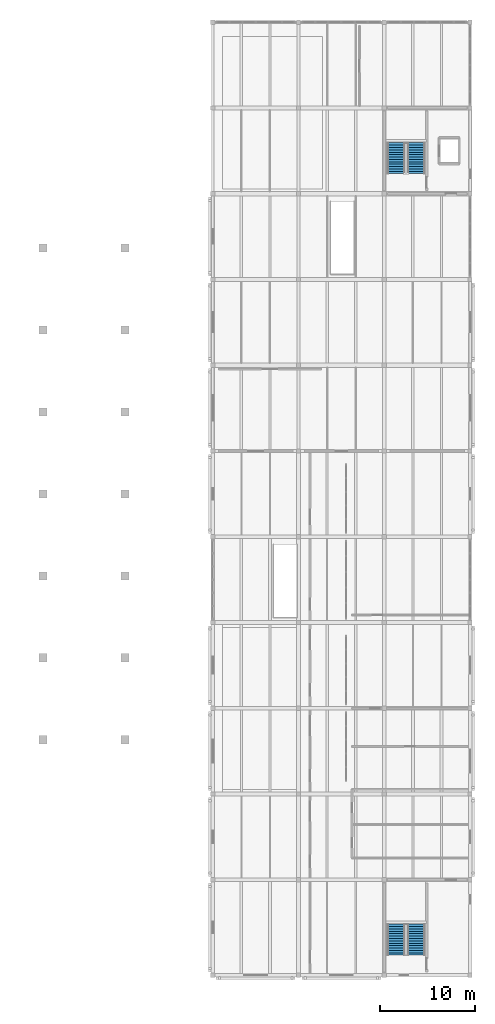
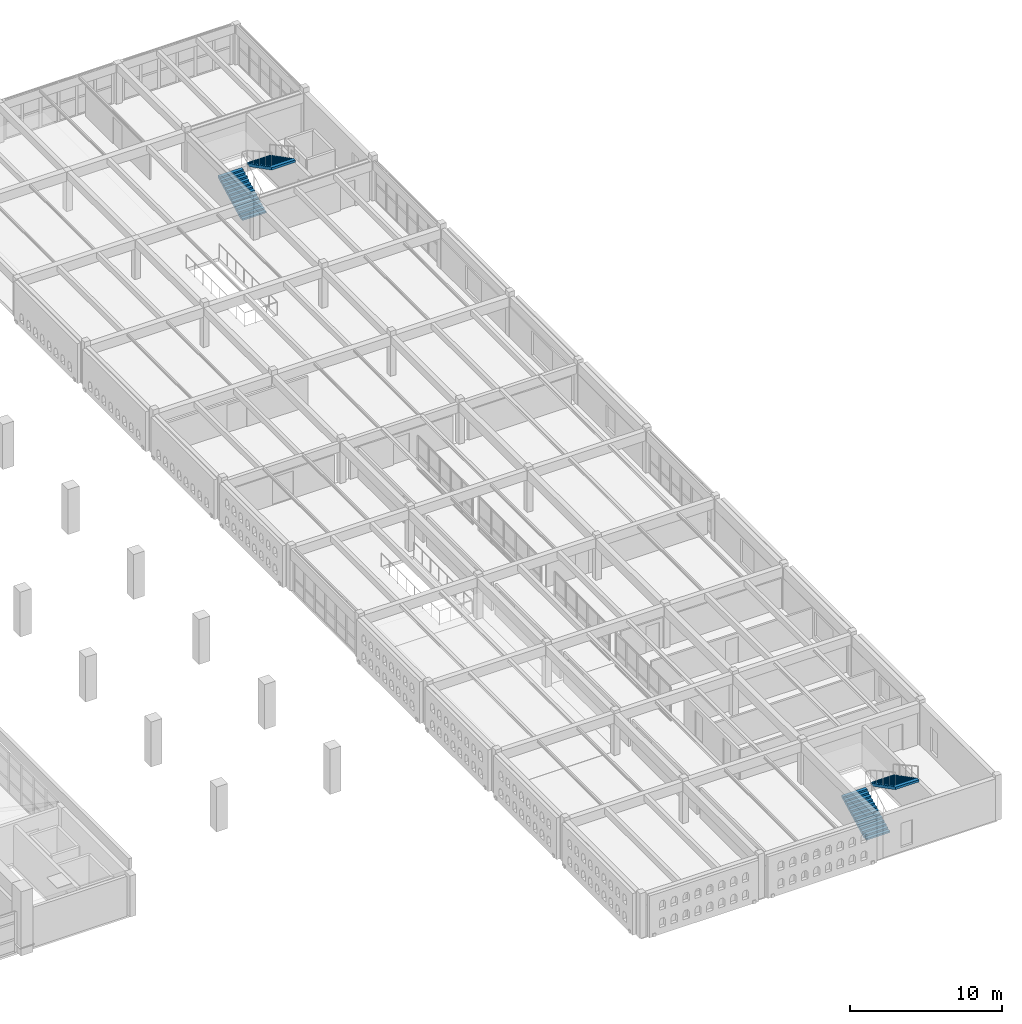
# One storey, part 71 of 80: 4 stair flights, 2 elements without a shape of their own.
"""IFC4 building model written with IfcOpenShell, lengths in metres."""

import ifcopenshell
import ifcopenshell.guid

model = None  # the IFC model being written
_history = None  # IfcOwnerHistory: only IFC2X3 demands one
_inside = {}  # id of a spatial element -> (the spatial element, [elements in it])
_under = {}  # id of a project, library or spatial element -> (it, [spatial elements below it])
_declared = {}  # id of a project -> (the project, [libraries it declares])
_typed = {}  # id of a type object -> (the type object, [elements of that type])
_made_of = {}  # id of a material, layer set ... -> (it, [elements and type objects made of it])


def new_model(schema):
    """Start an empty IFC model of exactly this schema.

    Asked for "IFC4X3", IfcOpenShell would pick the latest addendum, in which some entities
    have other attributes; the version numbers below select the first issue.
    IFC2X3 requires an IfcOwnerHistory on every rooted entity: one is made here for all.
    """
    global model, _history
    if schema == "IFC4X3":
        model = ifcopenshell.file(schema_version=(4, 3, 0, 0))
    else:
        model = ifcopenshell.file(schema=schema)
    _inside.clear()
    _under.clear()
    _declared.clear()
    _typed.clear()
    _made_of.clear()
    _history = None
    if model.schema == "IFC2X3":
        org = make("IfcOrganization", Name="unknown")
        user = make(
            "IfcPersonAndOrganization",
            ThePerson=make("IfcPerson", FamilyName="unknown"),
            TheOrganization=org,
        )
        app = make(
            "IfcApplication",
            ApplicationDeveloper=org,
            Version="unknown",
            ApplicationFullName="unknown",
            ApplicationIdentifier="unknown",
        )
        _history = make(
            "IfcOwnerHistory",
            OwningUser=user,
            OwningApplication=app,
            ChangeAction="ADDED",
            CreationDate=0,
        )
    return model


def make(cls, **values):
    """One entity of the class cls with the attributes given. An attribute that is None is left unset."""
    return model.create_entity(
        cls, **{name: value for name, value in values.items() if value is not None}
    )


def rooted(cls, **values):
    """An entity with a GlobalId (a new one), such as an element, a storey or a relation."""
    return make(cls, GlobalId=ifcopenshell.guid.new(), OwnerHistory=_history, **values)


def si_unit(unit_type, name, prefix=None):
    """IfcSIUnit, for example si_unit("LENGTHUNIT", "METRE", prefix="MILLI")."""
    return make("IfcSIUnit", UnitType=unit_type, Prefix=prefix, Name=name)


def assignment(units):
    """IfcUnitAssignment: the units of a project."""
    return None if units is None else make("IfcUnitAssignment", Units=units)


def point(xyz):
    """IfcCartesianPoint."""
    return None if xyz is None else make("IfcCartesianPoint", Coordinates=xyz)


def direction(xyz):
    """IfcDirection."""
    return None if xyz is None else make("IfcDirection", DirectionRatios=xyz)


def frame(location, z_axis=None, x_axis=None):
    """IfcAxis2Placement3D, a coordinate frame: its origin and axes. An axis left out is left unset."""
    return make(
        "IfcAxis2Placement3D",
        Location=point(location),
        Axis=direction(z_axis),
        RefDirection=direction(x_axis),
    )


def origin():
    """The frame at (0, 0, 0) with its axes left unset."""
    return frame((0.0, 0.0, 0.0))


def place(relative_to, where):
    """IfcLocalPlacement: puts the frame where relative to a parent placement (None: the world)."""
    return make(
        "IfcLocalPlacement", PlacementRelTo=relative_to, RelativePlacement=where
    )


def context(
    kind, dimensions, precision=None, world=None, true_north=None, identifier=None
):
    """IfcGeometricRepresentationContext, for example the 3D "Model" context."""
    return make(
        "IfcGeometricRepresentationContext",
        ContextIdentifier=identifier,
        ContextType=kind,
        CoordinateSpaceDimension=dimensions,
        Precision=precision,
        WorldCoordinateSystem=world,
        TrueNorth=true_north,
    )


def subcontext(parent, identifier, kind, view, scale=None):
    """IfcGeometricRepresentationSubContext, for example "Body" below "Model"."""
    return make(
        "IfcGeometricRepresentationSubContext",
        ContextIdentifier=identifier,
        ContextType=kind,
        ParentContext=parent,
        TargetScale=scale,
        TargetView=view,
    )


def project(units=None, contexts=None):
    """IfcProject with its units and contexts."""
    return rooted(
        "IfcProject",
        Name="project",
        RepresentationContexts=contexts,
        UnitsInContext=assignment(units),
    )


def spatial(cls, under=None, at=None, **own):
    """A site, building, storey or space (cls), placed at a placement, below another one or the project."""
    s = rooted(cls, ObjectPlacement=at, **own)
    if under is not None:
        _under.setdefault(under.id(), (under, []))[1].append(s)
    return s


def polyline(points):
    """IfcPolyline through the points."""
    return make("IfcPolyline", Points=[point(p) for p in points])


def outline(outer, holes=None, kind="AREA"):
    """IfcArbitraryClosedProfileDef: a profile drawn as a closed curve; with holes, ...WithVoids."""
    if holes is None:
        return make("IfcArbitraryClosedProfileDef", ProfileType=kind, OuterCurve=outer)
    return make(
        "IfcArbitraryProfileDefWithVoids",
        ProfileType=kind,
        OuterCurve=outer,
        InnerCurves=holes,
    )


def extrude(swept, where, along, depth):
    """IfcExtrudedAreaSolid: the profile swept, set in the frame where, extruded along a direction by depth."""
    return make(
        "IfcExtrudedAreaSolid",
        SweptArea=swept,
        Position=where,
        ExtrudedDirection=direction(along),
        Depth=depth,
    )


def shape(context_of_items, identifier, shape_type, items):
    """IfcShapeRepresentation: the items that make up one representation, for example the "Body"."""
    return make(
        "IfcShapeRepresentation",
        ContextOfItems=context_of_items,
        RepresentationIdentifier=identifier,
        RepresentationType=shape_type,
        Items=items,
    )


def material(Name=None, Category=None):
    """IfcMaterial."""
    return make("IfcMaterial", Name=Name, Category=Category)


def made_of(thing, what):
    """Note that an element or type object is made of a material, layer set ...; save() writes the relation."""
    if what is not None:
        _made_of.setdefault(what.id(), (what, []))[1].append(thing)
    return thing


def type_object(cls, material=None, **own):
    """A type object (cls), such as IfcWallType, which elements share."""
    return made_of(rooted(cls, **own), material)


def element(
    cls,
    number,
    at=None,
    inside=None,
    cuts=None,
    type_object=None,
    material=None,
    context=None,
    identifier="Body",
    shape_type=None,
    held_by="IfcProductDefinitionShape",
    body=None,
    shapes=None,
    **own,
):
    """One element of the class cls, such as IfcWall. Its Tag is "e" and its number.

    at: its placement. inside: the storey or other place that contains it. cuts: it is an
    opening in that element (IfcRelVoidsElement). A single representation is given by context,
    identifier, shape_type and body (its items); several are given by shapes. held_by: the class
    of the entity that holds the representations. save() writes the other relations.
    """
    e = rooted(cls, Tag="e%d" % number, ObjectPlacement=at, **own)
    if body is not None:
        shapes = [shape(context, identifier, shape_type, body)]
    if shapes is not None:
        e.Representation = make(held_by, Representations=shapes)
    if inside is not None:
        _inside.setdefault(inside.id(), (inside, []))[1].append(e)
    if cuts is not None:
        rooted(
            "IfcRelVoidsElement", RelatingBuildingElement=cuts, RelatedOpeningElement=e
        )
    if type_object is not None:
        _typed.setdefault(type_object.id(), (type_object, []))[1].append(e)
    return made_of(e, material)


def aggregate(whole, parts):
    """IfcRelAggregates: a whole, such as a stair, and the parts it consists of."""
    return rooted("IfcRelAggregates", RelatingObject=whole, RelatedObjects=parts)


def save(model, path):
    """Write the relations noted so far, then the file.

    IfcRelAggregates (storeys below a building ...), IfcRelContainedInSpatialStructure (elements
    in a storey), IfcRelDefinesByType, IfcRelAssociatesMaterial and IfcRelDeclares: one each for
    every whole, place, type object, material and project.
    """
    for whole, parts in _under.values():
        aggregate(whole, parts)
    for where, things in _inside.values():
        rooted(
            "IfcRelContainedInSpatialStructure",
            RelatedElements=things,
            RelatingStructure=where,
        )
    for kind, things in _typed.values():
        rooted("IfcRelDefinesByType", RelatedObjects=things, RelatingType=kind)
    for what, things in _made_of.values():
        rooted("IfcRelAssociatesMaterial", RelatedObjects=things, RelatingMaterial=what)
    for by, libraries in _declared.values():
        rooted("IfcRelDeclares", RelatingContext=by, RelatedDefinitions=libraries)
    model.write(path)


model = new_model("IFC4")

# Units and contexts
model_context = context("Model", 3, precision=1e-05, world=origin(), true_north=direction((0.0, 1.0)))
body_context = subcontext(model_context, "Body", "Model", "MODEL_VIEW")
ifc_project = project(units=[si_unit("LENGTHUNIT", "METRE"), si_unit("AREAUNIT", "SQUARE_METRE"), si_unit("VOLUMEUNIT", "CUBIC_METRE"), si_unit("PLANEANGLEUNIT", "RADIAN"), si_unit("MASSUNIT", "GRAM", prefix="KILO")], contexts=[model_context])

# Site, building, storey
site_placement = place(None, origin())
site = spatial("IfcSite", under=ifc_project, at=site_placement, CompositionType="ELEMENT")
building_placement = place(site_placement, origin())
building = spatial("IfcBuilding", under=site, at=building_placement, Name="Ornek Quay Market", CompositionType="ELEMENT")
storey_placement = place(building_placement, frame((0.0, 0.0, 8.39990234375)))
storey = spatial("IfcBuildingStorey", under=building, at=storey_placement, Name="L02", CompositionType="ELEMENT", Elevation=8.39990234375)

# Stair, stair flights
ifc_material = material(Name="Precast concrete C40/50", Category="concrete")
stair_type = type_object("IfcStairType", Name="ST-CORE-L02-L03", PredefinedType="HALF_TURN_STAIR", material=ifc_material)
stair_1_placement = place(storey_placement, origin())
stair_1 = element("IfcStair", 1, at=stair_1_placement, inside=storey, type_object=stair_type, Name="Core stair ST-05-L02 (L02 to L03)", PredefinedType="HALF_TURN_STAIR")
stair_flight_type = type_object("IfcStairFlightType", Name="STF-1800-WAIST200", PredefinedType="STRAIGHT", material=ifc_material)
stair_flight_1_placement = place(storey_placement, frame((172.199951171875, 94.095947265625, 0.0), z_axis=(0.0, 0.0, 1.0), x_axis=(0.0, 1.0, 0.0)))
stair_flight_1 = element("IfcStairFlight", 2, at=stair_flight_1_placement, type_object=stair_flight_type, Name="ST-05-L02 flight 1", NumberOfRisers=14, NumberOfTreads=13, PredefinedType="STRAIGHT", RiserHeight=0.128571429, TreadLength=0.25, context=body_context, shape_type="SweptSolid", body=[
    extrude(outline(polyline([(0.0, 0.0), (0.0, 0.128662109375), (0.25, 0.128662109375), (0.25, 0.257080078125), (0.5, 0.257080078125), (0.5, 0.3857421875), (0.75, 0.3857421875), (0.75, 0.514404296875), (1.0, 0.514404296875), (1.0, 0.642822265625), (1.25, 0.642822265625), (1.25, 0.771484375), (1.5, 0.771484375), (1.5, 0.89990234375), (1.75, 0.89990234375), (1.75, 1.028564453125), (2.0, 1.028564453125), (2.0, 1.1572265625), (2.25, 1.1572265625), (2.25, 1.28564453125), (2.5, 1.28564453125), (2.5, 1.414306640625), (2.75, 1.414306640625), (2.75, 1.54296875), (3.0, 1.54296875), (3.0, 1.67138671875), (3.25, 1.67138671875), (3.25, 1.800048828125), (3.25, 1.48583984375), (0.36083984375, 0.0), (0.0, 0.0)])), frame((0.0, 0.89990234375, 0.0), z_axis=(0.0, -1.0, 0.0), x_axis=(1.0, 0.0, 0.0)), (0.0, 0.0, 1.0), 1.800048828125),
])
stair_flight_2_placement = place(storey_placement, frame((174.39990234375, 97.345947265625, 1.800048828125), z_axis=(0.0, 0.0, 1.0), x_axis=(0.0, -1.0, 0.0)))
stair_flight_2 = element("IfcStairFlight", 3, at=stair_flight_2_placement, type_object=stair_flight_type, Name="ST-05-L02 flight 2", NumberOfRisers=14, NumberOfTreads=13, PredefinedType="STRAIGHT", RiserHeight=0.128571429, TreadLength=0.25, context=body_context, shape_type="SweptSolid", body=[
    extrude(outline(polyline([(0.0, 0.0), (0.0, 0.128662109375), (0.25, 0.128662109375), (0.25, 0.257080078125), (0.5, 0.257080078125), (0.5, 0.3857421875), (0.75, 0.3857421875), (0.75, 0.514404296875), (1.0, 0.514404296875), (1.0, 0.642822265625), (1.25, 0.642822265625), (1.25, 0.771484375), (1.5, 0.771484375), (1.5, 0.89990234375), (1.75, 0.89990234375), (1.75, 1.028564453125), (2.0, 1.028564453125), (2.0, 1.1572265625), (2.25, 1.1572265625), (2.25, 1.28564453125), (2.5, 1.28564453125), (2.5, 1.414306640625), (2.75, 1.414306640625), (2.75, 1.54296875), (3.0, 1.54296875), (3.0, 1.67138671875), (3.25, 1.67138671875), (3.25, 1.800048828125), (3.25, 1.48583984375), (0.36083984375, 0.0), (0.0, 0.0)])), frame((0.0, 0.89990234375, 0.0), z_axis=(0.0, -1.0, 0.0), x_axis=(1.0, 0.0, 0.0)), (0.0, 0.0, 1.0), 1.800048828125),
])
aggregate(stair_1, [stair_flight_1, stair_flight_2])

stair_2_placement = place(storey_placement, origin())
stair_2 = element("IfcStair", 4, at=stair_2_placement, inside=storey, type_object=stair_type, Name="Core stair ST-06-L02 (L02 to L03)", PredefinedType="HALF_TURN_STAIR")
stair_flight_3_placement = place(storey_placement, frame((172.199951171875, 12.095947265625, 0.0), z_axis=(0.0, 0.0, 1.0), x_axis=(0.0, 1.0, 0.0)))
stair_flight_3 = element("IfcStairFlight", 5, at=stair_flight_3_placement, type_object=stair_flight_type, Name="ST-06-L02 flight 1", NumberOfRisers=14, NumberOfTreads=13, PredefinedType="STRAIGHT", RiserHeight=0.128571429, TreadLength=0.25, context=body_context, shape_type="SweptSolid", body=[
    extrude(outline(polyline([(0.0, 0.0), (0.0, 0.128662109375), (0.25, 0.128662109375), (0.25, 0.257080078125), (0.5, 0.257080078125), (0.5, 0.3857421875), (0.75, 0.3857421875), (0.75, 0.514404296875), (1.0, 0.514404296875), (1.0, 0.642822265625), (1.25, 0.642822265625), (1.25, 0.771484375), (1.5, 0.771484375), (1.5, 0.89990234375), (1.75, 0.89990234375), (1.75, 1.028564453125), (2.0, 1.028564453125), (2.0, 1.1572265625), (2.25, 1.1572265625), (2.25, 1.28564453125), (2.5, 1.28564453125), (2.5, 1.414306640625), (2.75, 1.414306640625), (2.75, 1.54296875), (3.0, 1.54296875), (3.0, 1.67138671875), (3.25, 1.67138671875), (3.25, 1.800048828125), (3.25, 1.48583984375), (0.36083984375, 0.0), (0.0, 0.0)])), frame((0.0, 0.89990234375, 0.0), z_axis=(0.0, -1.0, 0.0), x_axis=(1.0, 0.0, 0.0)), (0.0, 0.0, 1.0), 1.800048828125),
])
stair_flight_4_placement = place(storey_placement, frame((174.39990234375, 15.345947265625, 1.800048828125), z_axis=(0.0, 0.0, 1.0), x_axis=(0.0, -1.0, 0.0)))
stair_flight_4 = element("IfcStairFlight", 6, at=stair_flight_4_placement, type_object=stair_flight_type, Name="ST-06-L02 flight 2", NumberOfRisers=14, NumberOfTreads=13, PredefinedType="STRAIGHT", RiserHeight=0.128571429, TreadLength=0.25, context=body_context, shape_type="SweptSolid", body=[
    extrude(outline(polyline([(0.0, 0.0), (0.0, 0.128662109375), (0.25, 0.128662109375), (0.25, 0.257080078125), (0.5, 0.257080078125), (0.5, 0.3857421875), (0.75, 0.3857421875), (0.75, 0.514404296875), (1.0, 0.514404296875), (1.0, 0.642822265625), (1.25, 0.642822265625), (1.25, 0.771484375), (1.5, 0.771484375), (1.5, 0.89990234375), (1.75, 0.89990234375), (1.75, 1.028564453125), (2.0, 1.028564453125), (2.0, 1.1572265625), (2.25, 1.1572265625), (2.25, 1.28564453125), (2.5, 1.28564453125), (2.5, 1.414306640625), (2.75, 1.414306640625), (2.75, 1.54296875), (3.0, 1.54296875), (3.0, 1.67138671875), (3.25, 1.67138671875), (3.25, 1.800048828125), (3.25, 1.48583984375), (0.36083984375, 0.0), (0.0, 0.0)])), frame((0.0, 0.89990234375, 0.0), z_axis=(0.0, -1.0, 0.0), x_axis=(1.0, 0.0, 0.0)), (0.0, 0.0, 1.0), 1.800048828125),
])
aggregate(stair_2, [stair_flight_3, stair_flight_4])

save(model, "model.ifc")
